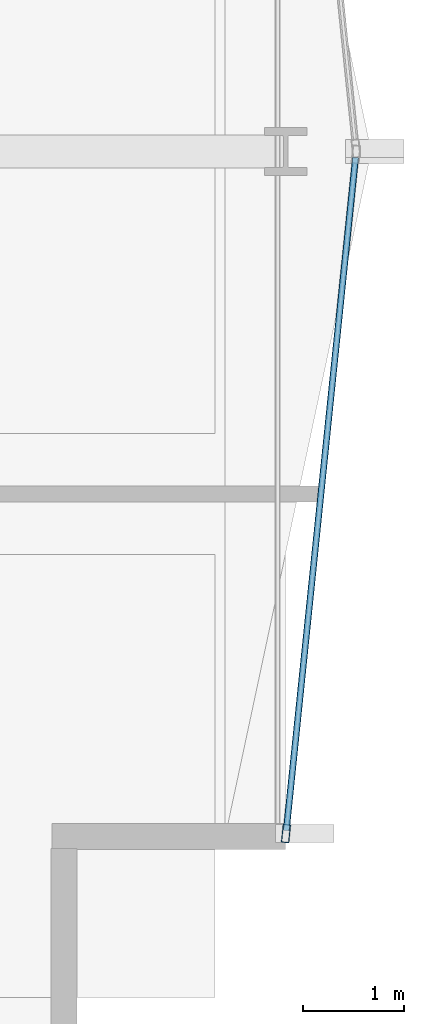
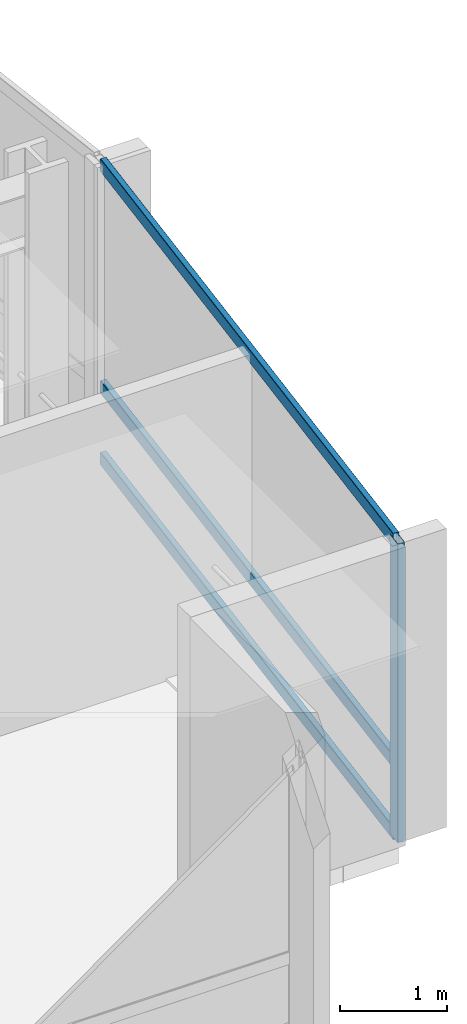
# One storey, part 13 of 34: 4 members, 1 element without a shape of its own.
"""IFC4 building model written with IfcOpenShell, lengths in metres."""

from ifc_helpers import new_model, si_unit, direction, frame, origin, origin_2d, place, context, subcontext, project, spatial, hollow_rectangle, extrude, material, layer, layer_set, material_profile, profile_set, type_object, element, aggregate, save


model = new_model("IFC4")

# Units and contexts
model_context = context("Model", 3, precision=1e-05, world=origin(), true_north=direction((0.0, 1.0)))
body_context = subcontext(model_context, "Body", "Model", "MODEL_VIEW")
ifc_project = project(units=[si_unit("LENGTHUNIT", "METRE"), si_unit("AREAUNIT", "SQUARE_METRE"), si_unit("VOLUMEUNIT", "CUBIC_METRE"), si_unit("PLANEANGLEUNIT", "RADIAN"), si_unit("MASSUNIT", "GRAM", prefix="KILO")], contexts=[model_context])

# Site, building, storey
site_placement = place(None, origin())
site = spatial("IfcSite", under=ifc_project, at=site_placement, CompositionType="ELEMENT")
building_placement = place(site_placement, origin())
building = spatial("IfcBuilding", under=site, at=building_placement, Name="Solvaryn Broadcast Tower", CompositionType="ELEMENT")
storey_placement = place(building_placement, frame((0.0, 0.0, 73.0)))
storey = spatial("IfcBuildingStorey", under=building, at=storey_placement, Name="L17", CompositionType="ELEMENT", Elevation=73.0)

# Curtain wall, members
ifc_material_1 = material(Name="Aluminium and Terracotta Unitised Curtain Wall", Category="masonry")
ifc_layer = layer(ifc_material_1, 0.199951171875)
ifc_layer_set = layer_set([ifc_layer], Name="CW-SYS2-LOWMID")
curtain_wall_type = type_object("IfcCurtainWallType", Name="CW-SYS2-LOWMID", PredefinedType="NOTDEFINED", material=ifc_layer_set)
curtain_wall_placement = place(storey_placement, origin())
curtain_wall = element("IfcCurtainWall", 1, at=curtain_wall_placement, inside=storey, type_object=curtain_wall_type, Name="L17 Curtain Wall ET2", PredefinedType="NOTDEFINED")
ifc_material_2 = material(Name="Anodised Aluminium 6063-T6", Category="aluminium")
ifc_material_profile_1 = material_profile(ifc_material_2, hollow_rectangle(XDim=0.074951171875, YDim=0.179931640625, WallThickness=0.00390625, InnerFilletRadius=0.00390625, OuterFilletRadius=0.008056640625, at=origin_2d()))
ifc_profile_set_1 = profile_set([ifc_material_profile_1], Name="Anodised Aluminium 6063-T6")
member_type_1 = type_object("IfcMemberType", Name="CW-MUL-180", PredefinedType="MULLION", material=ifc_profile_set_1)
member_1_placement = place(storey_placement, frame((63.003173828125, 11.229736328125, 0.0), z_axis=(0.0, 0.0, 1.0), x_axis=(0.99474329889, -0.10240004548, 0.0)))
member_1 = element("IfcMember", 2, at=member_1_placement, type_object=member_type_1, Name="CWS2 mullion 2", PredefinedType="MULLION", context=body_context, shape_type="SweptSolid", body=[
    extrude(hollow_rectangle(XDim=0.074951171875, YDim=0.179931640625, WallThickness=0.00390625, InnerFilletRadius=0.00390625, OuterFilletRadius=0.008056640625, at=origin_2d()), origin(), (0.0, 0.0, 1.0), 3.419921875),
])
ifc_material_3 = material(Name="Anodised Aluminium 6063-T6", Category="aluminium")
ifc_material_profile_2 = material_profile(ifc_material_3, hollow_rectangle(XDim=0.06494140625, YDim=0.14990234375, WallThickness=0.00390625, InnerFilletRadius=0.00390625, OuterFilletRadius=0.008056640625, at=origin_2d()))
ifc_profile_set_2 = profile_set([ifc_material_profile_2], Name="Anodised Aluminium 6063-T6")
member_type_2 = type_object("IfcMemberType", Name="CW-TRN-150", PredefinedType="USERDEFINED", material=ifc_profile_set_2)
member_2_placement = place(storey_placement, frame((63.69384765625, 17.9404296875, 0.030029296875), z_axis=(-0.102404277363, -0.994742863245, 0.0), x_axis=(0.994742863245, -0.102404277363, 0.0)))
member_2 = element("IfcMember", 3, at=member_2_placement, type_object=member_type_2, Name="CWS2 transom 1.1", ObjectType="TRANSOM", PredefinedType="USERDEFINED", context=body_context, shape_type="SweptSolid", body=[
    extrude(hollow_rectangle(XDim=0.06494140625, YDim=0.14990234375, WallThickness=0.00390625, InnerFilletRadius=0.00390625, OuterFilletRadius=0.008056640625, at=origin_2d()), origin(), (0.0, 0.0, 1.0), 6.716064453125),
])
member_3_placement = place(storey_placement, frame((63.69384765625, 17.9404296875, 0.85009765625), z_axis=(-0.102404277363, -0.994742863245, 0.0), x_axis=(0.994742863245, -0.102404277363, 0.0)))
member_3 = element("IfcMember", 4, at=member_3_placement, type_object=member_type_2, Name="CWS2 transom 1.2", ObjectType="TRANSOM", PredefinedType="USERDEFINED", context=body_context, shape_type="SweptSolid", body=[
    extrude(hollow_rectangle(XDim=0.06494140625, YDim=0.14990234375, WallThickness=0.00390625, InnerFilletRadius=0.00390625, OuterFilletRadius=0.008056640625, at=origin_2d()), origin(), (0.0, 0.0, 1.0), 6.716064453125),
])
member_4_placement = place(storey_placement, frame((63.69384765625, 17.9404296875, 3.389892578125), z_axis=(-0.102404277363, -0.994742863245, 0.0), x_axis=(0.994742863245, -0.102404277363, 0.0)))
member_4 = element("IfcMember", 5, at=member_4_placement, type_object=member_type_2, Name="CWS2 transom 1.3", ObjectType="TRANSOM", PredefinedType="USERDEFINED", context=body_context, shape_type="SweptSolid", body=[
    extrude(hollow_rectangle(XDim=0.06494140625, YDim=0.14990234375, WallThickness=0.00390625, InnerFilletRadius=0.00390625, OuterFilletRadius=0.008056640625, at=origin_2d()), origin(), (0.0, 0.0, 1.0), 6.716064453125),
])
aggregate(curtain_wall, [member_1, member_2, member_3, member_4])

save(model, "model.ifc")
